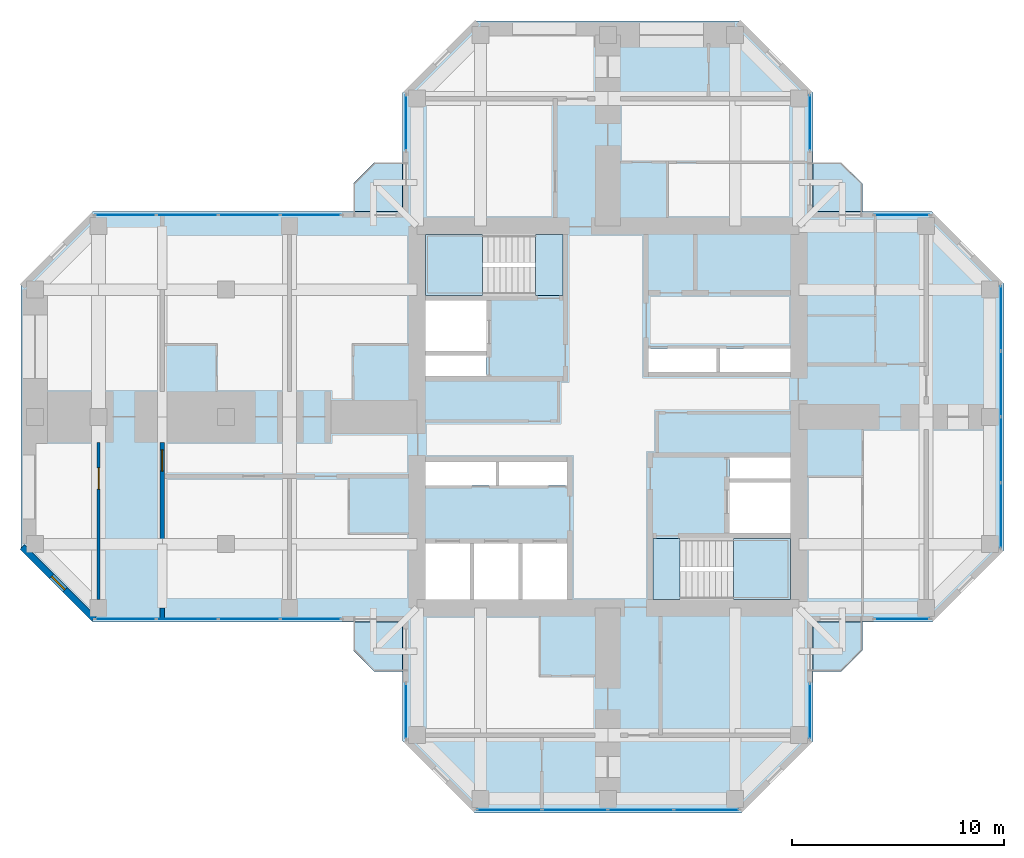
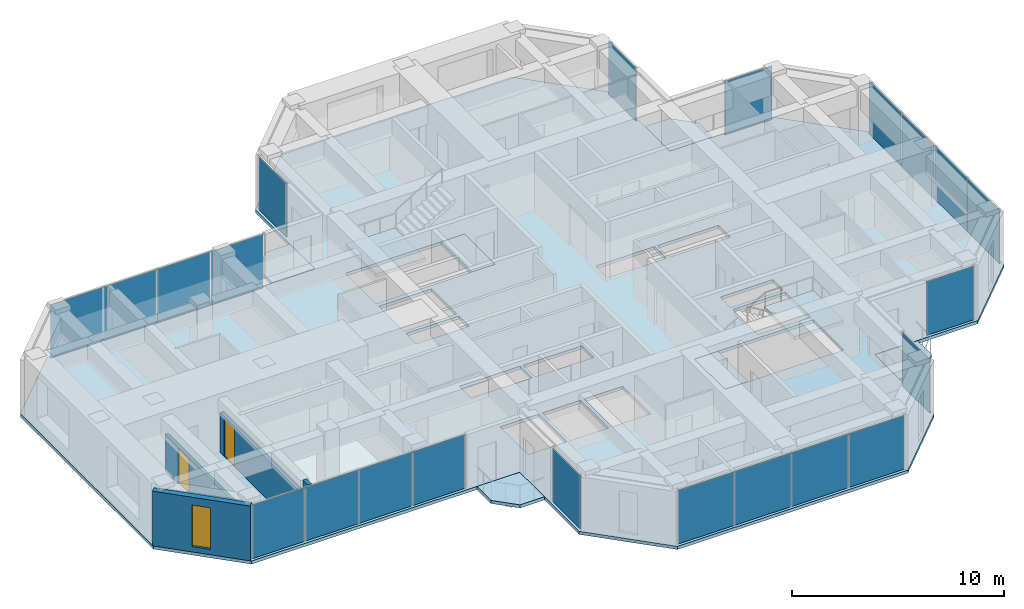
# One storey, part 7 of 13: 22 plates, 9 slabs, 4 walls, 2 doors, 1 window, 3 openings, 12 elements without a shape of their own.
"""IFC4 building model written with IfcOpenShell, lengths in metres."""

from ifc_helpers import new_model, si_unit, direction, frame, frame_2d, origin, origin_2d, place, context, subcontext, project, spatial, polyline, rectangle, hollow_rectangle, outline, extrude, material, layer, layer_set, constituent, constituent_set, type_object, element, fill, aggregate, save


model = new_model("IFC4")

# Units and contexts
model_context = context("Model", 3, precision=1e-05, world=origin(), true_north=direction((0.0, 1.0)))
body_context = subcontext(model_context, "Body", "Model", "MODEL_VIEW")
ifc_project = project(units=[si_unit("LENGTHUNIT", "METRE"), si_unit("AREAUNIT", "SQUARE_METRE"), si_unit("VOLUMEUNIT", "CUBIC_METRE"), si_unit("PLANEANGLEUNIT", "RADIAN"), si_unit("MASSUNIT", "GRAM", prefix="KILO")], contexts=[model_context])

# Site, building, storey
site_placement = place(None, origin())
site = spatial("IfcSite", under=ifc_project, at=site_placement, CompositionType="ELEMENT")
building_placement = place(site_placement, origin())
building = spatial("IfcBuilding", under=site, at=building_placement, Name="Torre Cruceta", CompositionType="ELEMENT")
storey_placement = place(building_placement, frame((0.0, 0.0, 249.300048828125)))
storey = spatial("IfcBuildingStorey", under=building, at=storey_placement, Name="L64", CompositionType="ELEMENT", Elevation=249.300048828125)

# Slabs
ifc_material_1 = material(Name="Concrete G35 (fck 35 MPa)", Category="concrete")
ifc_layer_1 = layer(ifc_material_1, 0.179931640625)
ifc_layer_set_1 = layer_set([ifc_layer_1], Name="Concrete G35 (fck 35 MPa)")
slab_type_1 = type_object("IfcSlabType", Name="BALCONY SLAB 180", PredefinedType="USERDEFINED", material=ifc_layer_set_1)
slab_1_placement = place(storey_placement, frame((0.0, 0.0, -0.179931640625)))
element("IfcSlab", 1, at=slab_1_placement, inside=storey, type_object=slab_type_1, Name="Balcony slab L64 N", ObjectType="BALCONY", PredefinedType="USERDEFINED", context=body_context, shape_type="SweptSolid", body=[
    extrude(outline(polyline([(-12.0, 11.0), (-11.0, 12.0), (-9.669921875, 12.0), (-9.669921875, 9.669921875), (-12.0, 9.669921875), (-12.0, 11.0)])), origin(), (0.0, 0.0, 1.0), 0.179931640625),
])
slab_2_placement = place(storey_placement, frame((0.0, 0.0, -0.179931640625)))
element("IfcSlab", 2, at=slab_2_placement, inside=storey, type_object=slab_type_1, Name="Balcony slab L64 E", ObjectType="BALCONY", PredefinedType="USERDEFINED", context=body_context, shape_type="SweptSolid", body=[
    extrude(outline(polyline([(11.0, 12.0), (12.0, 11.0), (12.0, 9.669921875), (9.669921875, 9.669921875), (9.669921875, 12.0), (11.0, 12.0)])), origin(), (0.0, 0.0, 1.0), 0.179931640625),
])
slab_3_placement = place(storey_placement, frame((0.0, 0.0, -0.179931640625)))
element("IfcSlab", 3, at=slab_3_placement, inside=storey, type_object=slab_type_1, Name="Balcony slab L64 S", ObjectType="BALCONY", PredefinedType="USERDEFINED", context=body_context, shape_type="SweptSolid", body=[
    extrude(outline(polyline([(12.0, -11.0), (11.0, -12.0), (9.669921875, -12.0), (9.669921875, -9.669921875), (12.0, -9.669921875), (12.0, -11.0)])), origin(), (0.0, 0.0, 1.0), 0.179931640625),
])
slab_4_placement = place(storey_placement, frame((0.0, 0.0, -0.179931640625)))
element("IfcSlab", 4, at=slab_4_placement, inside=storey, type_object=slab_type_1, Name="Balcony slab L64 W", ObjectType="BALCONY", PredefinedType="USERDEFINED", context=body_context, shape_type="SweptSolid", body=[
    extrude(outline(polyline([(-11.0, -12.0), (-12.0, -11.0), (-12.0, -9.669921875), (-9.669921875, -9.669921875), (-9.669921875, -12.0), (-11.0, -12.0)])), origin(), (0.0, 0.0, 1.0), 0.179931640625),
])

# Curtain wall, plate
ifc_material_2 = material(Name="Aluminium unitised curtain wall", Category="aluminium")
curtain_wall_type = type_object("IfcCurtainWallType", Name="CURTAIN WALL CW-D CO-LIVING UPPER", PredefinedType="USERDEFINED", material=ifc_material_2)
curtain_wall_1_placement = place(storey_placement, origin())
curtain_wall_1 = element("IfcCurtainWall", 5, at=curtain_wall_1_placement, inside=storey, type_object=curtain_wall_type, Name="CW-D L64 E tip 02", ObjectType="UNITISED", PredefinedType="USERDEFINED")
ifc_material_3 = material(Name="Laminated insulating glass unit, diagonal frit 50 %", Category="glass")
ifc_material_4 = material(Name="Laminated insulating glass unit, diagonal frit 50 %", Category="glass")
ifc_layer_2 = layer(ifc_material_4, 0.028076171875)
ifc_layer_set_2 = layer_set([ifc_layer_2], Name="Laminated insulating glass unit, diagonal frit 50 %")
plate_type_1 = type_object("IfcPlateType", Name="CW-D OPERABLE VENT PANEL 28", PredefinedType="CURTAIN_PANEL", material=ifc_layer_set_2)
plate_1_placement = place(storey_placement, frame((18.52001953125, -1.553955078125, 0.010009765625), z_axis=(0.0, 0.0, 1.0), x_axis=(0.0, 1.0, 0.0)))
plate_1 = element("IfcPlate", 6, at=plate_1_placement, type_object=plate_type_1, material=ifc_material_3, Name="CW-D vent 2", PredefinedType="CURTAIN_PANEL", context=body_context, shape_type="SweptSolid", body=[
    extrude(rectangle(XDim=3.047607421875, YDim=0.028076171875, at=origin_2d()), origin(), (0.0, 0.0, 1.0), 3.080078125),
])

curtain_wall_2_placement = place(storey_placement, origin())
curtain_wall_2 = element("IfcCurtainWall", 7, at=curtain_wall_2_placement, inside=storey, type_object=curtain_wall_type, Name="CW-D L64 W side 10", ObjectType="UNITISED", PredefinedType="USERDEFINED")
plate_2_placement = place(storey_placement, frame((-16.90576171875, 9.52001953125, 0.010009765625), z_axis=(0.0, 0.0, 1.0), x_axis=(-1.0, 0.0, 0.0)))
plate_2 = element("IfcPlate", 8, at=plate_2_placement, type_object=plate_type_1, material=ifc_material_3, Name="CW-D vent 2", PredefinedType="CURTAIN_PANEL", context=body_context, shape_type="SweptSolid", body=[
    extrude(rectangle(XDim=2.86376953125, YDim=0.028076171875, at=origin_2d()), origin(), (0.0, 0.0, 1.0), 3.080078125),
])

curtain_wall_3_placement = place(storey_placement, origin())
curtain_wall_3 = element("IfcCurtainWall", 9, at=curtain_wall_3_placement, inside=storey, type_object=curtain_wall_type, Name="CW-D L64 W side 14", ObjectType="UNITISED", PredefinedType="USERDEFINED")
plate_3_placement = place(storey_placement, frame((-19.82958984375, -9.52001953125, 0.010009765625), z_axis=(0.0, 0.0, 1.0), x_axis=(1.0, 0.0, 0.0)))
plate_3 = element("IfcPlate", 10, at=plate_3_placement, type_object=plate_type_1, material=ifc_material_3, Name="CW-D vent 2", PredefinedType="CURTAIN_PANEL", context=body_context, shape_type="SweptSolid", body=[
    extrude(rectangle(XDim=2.86376953125, YDim=0.028076171875, at=origin_2d()), origin(), (0.0, 0.0, 1.0), 3.080078125),
])

curtain_wall_4_placement = place(storey_placement, origin())
curtain_wall_4 = element("IfcCurtainWall", 11, at=curtain_wall_4_placement, inside=storey, type_object=curtain_wall_type, Name="CW-D L64 S tip 17", ObjectType="UNITISED", PredefinedType="USERDEFINED")
plate_4_placement = place(storey_placement, frame((-1.553955078125, -18.52001953125, 0.010009765625), z_axis=(0.0, 0.0, 1.0), x_axis=(1.0, 0.0, 0.0)))
plate_4 = element("IfcPlate", 12, at=plate_4_placement, type_object=plate_type_1, material=ifc_material_3, Name="CW-D vent 2", PredefinedType="CURTAIN_PANEL", context=body_context, shape_type="SweptSolid", body=[
    extrude(rectangle(XDim=3.047607421875, YDim=0.028076171875, at=origin_2d()), origin(), (0.0, 0.0, 1.0), 3.080078125),
])

curtain_wall_5_placement = place(storey_placement, origin())
curtain_wall_5 = element("IfcCurtainWall", 13, at=curtain_wall_5_placement, inside=storey, type_object=curtain_wall_type, Name="CW-D L64 E side 00", ObjectType="UNITISED", PredefinedType="USERDEFINED")
ifc_material_5 = material(Name="Laminated insulating glass unit, diagonal frit 50 %", Category="glass")
ifc_layer_3 = layer(ifc_material_5, 0.028076171875)
ifc_layer_set_3 = layer_set([ifc_layer_3], Name="Laminated insulating glass unit, diagonal frit 50 %")
plate_type_2 = type_object("IfcPlateType", Name="CW-D PANEL 28", PredefinedType="CURTAIN_PANEL", material=ifc_layer_set_3)
plate_5_placement = place(storey_placement, frame((13.86767578125, -9.52001953125, 0.010009765625), z_axis=(0.0, 0.0, 1.0), x_axis=(1.0, 0.0, 0.0)))
plate_5 = element("IfcPlate", 14, at=plate_5_placement, type_object=plate_type_2, material=ifc_material_3, Name="CW-D panel 1", PredefinedType="CURTAIN_PANEL", context=body_context, shape_type="SweptSolid", body=[
    extrude(rectangle(XDim=2.575439453125, YDim=0.028076171875, at=origin_2d()), origin(), (0.0, 0.0, 1.0), 3.080078125),
])
aggregate(curtain_wall_5, [plate_5])

# Plate
plate_6_placement = place(storey_placement, frame((18.52001953125, -4.646484375, 0.010009765625), z_axis=(0.0, 0.0, 1.0), x_axis=(0.0, 1.0, 0.0)))
plate_6 = element("IfcPlate", 15, at=plate_6_placement, type_object=plate_type_2, material=ifc_material_3, Name="CW-D panel 1", PredefinedType="CURTAIN_PANEL", context=body_context, shape_type="SweptSolid", body=[
    extrude(rectangle(XDim=3.017578125, YDim=0.028076171875, at=origin_2d()), origin(), (0.0, 0.0, 1.0), 3.080078125),
])

ifc_material_6 = material(Name="Laminated insulating glass unit, low-iron clear", Category="glass")
plate_7_placement = place(storey_placement, frame((18.52001953125, 1.553955078125, 0.010009765625), z_axis=(0.0, 0.0, 1.0), x_axis=(0.0, 1.0, 0.0)))
plate_7 = element("IfcPlate", 16, at=plate_7_placement, type_object=plate_type_2, material=ifc_material_6, Name="CW-D panel 3", PredefinedType="CURTAIN_PANEL", context=body_context, shape_type="SweptSolid", body=[
    extrude(rectangle(XDim=3.047607421875, YDim=0.028076171875, at=origin_2d()), origin(), (0.0, 0.0, 1.0), 3.080078125),
])

plate_8_placement = place(storey_placement, frame((18.52001953125, 4.646484375, 0.010009765625), z_axis=(0.0, 0.0, 1.0), x_axis=(0.0, 1.0, 0.0)))
plate_8 = element("IfcPlate", 17, at=plate_8_placement, type_object=plate_type_2, material=ifc_material_6, Name="CW-D panel 4", PredefinedType="CURTAIN_PANEL", context=body_context, shape_type="SweptSolid", body=[
    extrude(rectangle(XDim=3.017578125, YDim=0.028076171875, at=origin_2d()), origin(), (0.0, 0.0, 1.0), 3.080078125),
])

aggregate(curtain_wall_1, [plate_6, plate_1, plate_7, plate_8])

# Curtain wall, plate
curtain_wall_6_placement = place(storey_placement, origin())
curtain_wall_6 = element("IfcCurtainWall", 18, at=curtain_wall_6_placement, inside=storey, type_object=curtain_wall_type, Name="CW-D L64 E side 04", ObjectType="UNITISED", PredefinedType="USERDEFINED")
plate_9_placement = place(storey_placement, frame((13.86767578125, 9.52001953125, 0.010009765625), z_axis=(0.0, 0.0, 1.0), x_axis=(-1.0, 0.0, 0.0)))
plate_9 = element("IfcPlate", 19, at=plate_9_placement, type_object=plate_type_2, material=ifc_material_3, Name="CW-D panel 1", PredefinedType="CURTAIN_PANEL", context=body_context, shape_type="SweptSolid", body=[
    extrude(rectangle(XDim=2.575439453125, YDim=0.028076171875, at=origin_2d()), origin(), (0.0, 0.0, 1.0), 3.080078125),
])
aggregate(curtain_wall_6, [plate_9])

curtain_wall_7_placement = place(storey_placement, origin())
curtain_wall_7 = element("IfcCurtainWall", 20, at=curtain_wall_7_placement, inside=storey, type_object=curtain_wall_type, Name="CW-D L64 N side 05", ObjectType="UNITISED", PredefinedType="USERDEFINED")
plate_10_placement = place(storey_placement, frame((9.52001953125, 13.86767578125, 0.010009765625), z_axis=(0.0, 0.0, 1.0), x_axis=(0.0, 1.0, 0.0)))
plate_10 = element("IfcPlate", 21, at=plate_10_placement, type_object=plate_type_2, material=ifc_material_3, Name="CW-D panel 1", PredefinedType="CURTAIN_PANEL", context=body_context, shape_type="SweptSolid", body=[
    extrude(rectangle(XDim=2.575439453125, YDim=0.028076171875, at=origin_2d()), origin(), (0.0, 0.0, 1.0), 3.080078125),
])
aggregate(curtain_wall_7, [plate_10])

curtain_wall_8_placement = place(storey_placement, origin())
curtain_wall_8 = element("IfcCurtainWall", 22, at=curtain_wall_8_placement, inside=storey, type_object=curtain_wall_type, Name="CW-D L64 N side 09", ObjectType="UNITISED", PredefinedType="USERDEFINED")
plate_11_placement = place(storey_placement, frame((-9.52001953125, 13.86767578125, 0.010009765625), z_axis=(0.0, 0.0, 1.0), x_axis=(0.0, -1.0, 0.0)))
plate_11 = element("IfcPlate", 23, at=plate_11_placement, type_object=plate_type_2, material=ifc_material_3, Name="CW-D panel 1", PredefinedType="CURTAIN_PANEL", context=body_context, shape_type="SweptSolid", body=[
    extrude(rectangle(XDim=2.575439453125, YDim=0.028076171875, at=origin_2d()), origin(), (0.0, 0.0, 1.0), 3.080078125),
])
aggregate(curtain_wall_8, [plate_11])

# Plate
plate_12_placement = place(storey_placement, frame((-13.996826171875, 9.52001953125, 0.010009765625), z_axis=(0.0, 0.0, 1.0), x_axis=(-1.0, 0.0, 0.0)))
plate_12 = element("IfcPlate", 24, at=plate_12_placement, type_object=plate_type_2, material=ifc_material_3, Name="CW-D panel 1", PredefinedType="CURTAIN_PANEL", context=body_context, shape_type="SweptSolid", body=[
    extrude(rectangle(XDim=2.833740234375, YDim=0.028076171875, at=origin_2d()), origin(), (0.0, 0.0, 1.0), 3.080078125),
])

plate_13_placement = place(storey_placement, frame((-19.82958984375, 9.52001953125, 0.010009765625), z_axis=(0.0, 0.0, 1.0), x_axis=(-1.0, 0.0, 0.0)))
plate_13 = element("IfcPlate", 25, at=plate_13_placement, type_object=plate_type_2, material=ifc_material_6, Name="CW-D panel 3", PredefinedType="CURTAIN_PANEL", context=body_context, shape_type="SweptSolid", body=[
    extrude(rectangle(XDim=2.86376953125, YDim=0.028076171875, at=origin_2d()), origin(), (0.0, 0.0, 1.0), 3.080078125),
])

plate_14_placement = place(storey_placement, frame((-22.738525390625, 9.52001953125, 0.010009765625), z_axis=(0.0, 0.0, 1.0), x_axis=(-1.0, 0.0, 0.0)))
plate_14 = element("IfcPlate", 26, at=plate_14_placement, type_object=plate_type_2, material=ifc_material_6, Name="CW-D panel 4", PredefinedType="CURTAIN_PANEL", context=body_context, shape_type="SweptSolid", body=[
    extrude(rectangle(XDim=2.833740234375, YDim=0.028076171875, at=origin_2d()), origin(), (0.0, 0.0, 1.0), 3.080078125),
])

aggregate(curtain_wall_2, [plate_12, plate_2, plate_13, plate_14])

plate_15_placement = place(storey_placement, frame((-22.738525390625, -9.52001953125, 0.010009765625), z_axis=(0.0, 0.0, 1.0), x_axis=(1.0, 0.0, 0.0)))
plate_15 = element("IfcPlate", 27, at=plate_15_placement, type_object=plate_type_2, material=ifc_material_3, Name="CW-D panel 1", PredefinedType="CURTAIN_PANEL", context=body_context, shape_type="SweptSolid", body=[
    extrude(rectangle(XDim=2.833740234375, YDim=0.028076171875, at=origin_2d()), origin(), (0.0, 0.0, 1.0), 3.080078125),
])

plate_16_placement = place(storey_placement, frame((-16.90576171875, -9.52001953125, 0.010009765625), z_axis=(0.0, 0.0, 1.0), x_axis=(1.0, 0.0, 0.0)))
plate_16 = element("IfcPlate", 28, at=plate_16_placement, type_object=plate_type_2, material=ifc_material_6, Name="CW-D panel 3", PredefinedType="CURTAIN_PANEL", context=body_context, shape_type="SweptSolid", body=[
    extrude(rectangle(XDim=2.86376953125, YDim=0.028076171875, at=origin_2d()), origin(), (0.0, 0.0, 1.0), 3.080078125),
])

plate_17_placement = place(storey_placement, frame((-13.996826171875, -9.52001953125, 0.010009765625), z_axis=(0.0, 0.0, 1.0), x_axis=(1.0, 0.0, 0.0)))
plate_17 = element("IfcPlate", 29, at=plate_17_placement, type_object=plate_type_2, material=ifc_material_6, Name="CW-D panel 4", PredefinedType="CURTAIN_PANEL", context=body_context, shape_type="SweptSolid", body=[
    extrude(rectangle(XDim=2.833740234375, YDim=0.028076171875, at=origin_2d()), origin(), (0.0, 0.0, 1.0), 3.080078125),
])

aggregate(curtain_wall_3, [plate_15, plate_3, plate_16, plate_17])

# Curtain wall, plate
curtain_wall_9_placement = place(storey_placement, origin())
curtain_wall_9 = element("IfcCurtainWall", 30, at=curtain_wall_9_placement, inside=storey, type_object=curtain_wall_type, Name="CW-D L64 S side 15", ObjectType="UNITISED", PredefinedType="USERDEFINED")
plate_18_placement = place(storey_placement, frame((-9.52001953125, -13.86767578125, 0.010009765625), z_axis=(0.0, 0.0, 1.0), x_axis=(0.0, -1.0, 0.0)))
plate_18 = element("IfcPlate", 31, at=plate_18_placement, type_object=plate_type_2, material=ifc_material_3, Name="CW-D panel 1", PredefinedType="CURTAIN_PANEL", context=body_context, shape_type="SweptSolid", body=[
    extrude(rectangle(XDim=2.575439453125, YDim=0.028076171875, at=origin_2d()), origin(), (0.0, 0.0, 1.0), 3.080078125),
])
aggregate(curtain_wall_9, [plate_18])

# Plate
plate_19_placement = place(storey_placement, frame((-4.646484375, -18.52001953125, 0.010009765625), z_axis=(0.0, 0.0, 1.0), x_axis=(1.0, 0.0, 0.0)))
plate_19 = element("IfcPlate", 32, at=plate_19_placement, type_object=plate_type_2, material=ifc_material_3, Name="CW-D panel 1", PredefinedType="CURTAIN_PANEL", context=body_context, shape_type="SweptSolid", body=[
    extrude(rectangle(XDim=3.017578125, YDim=0.028076171875, at=origin_2d()), origin(), (0.0, 0.0, 1.0), 3.080078125),
])

plate_20_placement = place(storey_placement, frame((1.553955078125, -18.52001953125, 0.010009765625), z_axis=(0.0, 0.0, 1.0), x_axis=(1.0, 0.0, 0.0)))
plate_20 = element("IfcPlate", 33, at=plate_20_placement, type_object=plate_type_2, material=ifc_material_6, Name="CW-D panel 3", PredefinedType="CURTAIN_PANEL", context=body_context, shape_type="SweptSolid", body=[
    extrude(rectangle(XDim=3.047607421875, YDim=0.028076171875, at=origin_2d()), origin(), (0.0, 0.0, 1.0), 3.080078125),
])

plate_21_placement = place(storey_placement, frame((4.646484375, -18.52001953125, 0.010009765625), z_axis=(0.0, 0.0, 1.0), x_axis=(1.0, 0.0, 0.0)))
plate_21 = element("IfcPlate", 34, at=plate_21_placement, type_object=plate_type_2, material=ifc_material_6, Name="CW-D panel 4", PredefinedType="CURTAIN_PANEL", context=body_context, shape_type="SweptSolid", body=[
    extrude(rectangle(XDim=3.017578125, YDim=0.028076171875, at=origin_2d()), origin(), (0.0, 0.0, 1.0), 3.080078125),
])

aggregate(curtain_wall_4, [plate_19, plate_4, plate_20, plate_21])

# Curtain wall, plate
curtain_wall_10_placement = place(storey_placement, origin())
curtain_wall_10 = element("IfcCurtainWall", 35, at=curtain_wall_10_placement, inside=storey, type_object=curtain_wall_type, Name="CW-D L64 S side 19", ObjectType="UNITISED", PredefinedType="USERDEFINED")
plate_22_placement = place(storey_placement, frame((9.52001953125, -13.86767578125, 0.010009765625), z_axis=(0.0, 0.0, 1.0), x_axis=(0.0, 1.0, 0.0)))
plate_22 = element("IfcPlate", 36, at=plate_22_placement, type_object=plate_type_2, material=ifc_material_3, Name="CW-D panel 1", PredefinedType="CURTAIN_PANEL", context=body_context, shape_type="SweptSolid", body=[
    extrude(rectangle(XDim=2.575439453125, YDim=0.028076171875, at=origin_2d()), origin(), (0.0, 0.0, 1.0), 3.080078125),
])
aggregate(curtain_wall_10, [plate_22])

# Slab
ifc_material_7 = material(Name="Concrete G35 (fck 35 MPa)", Category="concrete")
ifc_layer_4 = layer(ifc_material_7, 0.179931640625)
ifc_layer_set_4 = layer_set([ifc_layer_4], Name="Concrete G35 (fck 35 MPa)")
slab_type_2 = type_object("IfcSlabType", Name="FLOOR SLAB 180", PredefinedType="FLOOR", material=ifc_layer_set_4)
slab_5_placement = place(storey_placement, frame((0.0, 0.0, -0.179931640625)))
element("IfcSlab", 37, at=slab_5_placement, inside=storey, type_object=slab_type_2, Name="Floor Slab L64", PredefinedType="FLOOR", context=body_context, shape_type="SweptSolid", body=[
    extrude(outline(polyline([(9.669921875, -9.669921875), (9.669921875, -15.277587890625), (6.277587890625, -18.669921875), (-6.277587890625, -18.669921875), (-9.669921875, -15.277587890625), (-9.669921875, -9.669921875), (-24.277587890625, -9.669921875), (-27.669921875, -6.277587890625), (-27.669921875, 6.277587890625), (-24.277587890625, 9.669921875), (-9.669921875, 9.669921875), (-9.669921875, 15.277587890625), (-6.277587890625, 18.669921875), (6.277587890625, 18.669921875), (9.669921875, 15.277587890625), (9.669921875, 9.669921875), (15.277587890625, 9.669921875), (18.669921875, 6.277587890625), (18.669921875, -6.277587890625), (15.277587890625, -9.669921875), (9.669921875, -9.669921875)]), holes=[polyline([(1.925048828125, 2.125), (5.125, 2.125), (5.125, 3.22509765625), (1.925048828125, 3.22509765625), (1.925048828125, 2.125)]), polyline([(5.27490234375, 2.125), (8.60009765625, 2.125), (8.60009765625, 3.22509765625), (5.27490234375, 3.22509765625), (5.27490234375, 2.125)]), polyline([(-8.60009765625, 3.10009765625), (-5.72509765625, 3.10009765625), (-5.72509765625, 5.47509765625), (-8.60009765625, 5.47509765625), (-8.60009765625, 3.10009765625)]), polyline([(-8.60009765625, 1.925048828125), (-5.72509765625, 1.925048828125), (-5.72509765625, 2.89990234375), (-8.60009765625, 2.89990234375), (-8.60009765625, 1.925048828125)]), polyline([(-4.0166015625, -8.60009765625), (-1.925048828125, -8.60009765625), (-1.925048828125, -5.97509765625), (-4.0166015625, -5.97509765625), (-4.0166015625, -8.60009765625)]), polyline([(-6.308349609375, -8.60009765625), (-4.216552734375, -8.60009765625), (-4.216552734375, -5.97509765625), (-6.308349609375, -5.97509765625), (-6.308349609375, -8.60009765625)]), polyline([(-8.60009765625, -8.60009765625), (-6.50830078125, -8.60009765625), (-6.50830078125, -5.97509765625), (-8.60009765625, -5.97509765625), (-8.60009765625, -8.60009765625)]), polyline([(-5.125, -3.22509765625), (-1.925048828125, -3.22509765625), (-1.925048828125, -2.125), (-5.125, -2.125), (-5.125, -3.22509765625)]), polyline([(-8.60009765625, -3.22509765625), (-5.27490234375, -3.22509765625), (-5.27490234375, -2.125), (-8.60009765625, -2.125), (-8.60009765625, -3.22509765625)]), polyline([(5.72509765625, -5.47509765625), (8.60009765625, -5.47509765625), (8.60009765625, -3.10009765625), (5.72509765625, -3.10009765625), (5.72509765625, -5.47509765625)]), polyline([(5.72509765625, -2.89990234375), (8.60009765625, -2.89990234375), (8.60009765625, -1.925048828125), (5.72509765625, -1.925048828125), (5.72509765625, -2.89990234375)]), polyline([(-8.60009765625, 5.72509765625), (-8.60009765625, 8.60009765625), (-3.39990234375, 8.60009765625), (-2.125, 8.60009765625), (-2.125, 5.72509765625), (-3.39990234375, 5.72509765625), (-8.60009765625, 5.72509765625)]), polyline([(2.125, -5.72509765625), (3.39990234375, -5.72509765625), (8.60009765625, -5.72509765625), (8.60009765625, -8.60009765625), (3.39990234375, -8.60009765625), (2.125, -8.60009765625), (2.125, -5.72509765625)])]), origin(), (0.0, 0.0, 1.0), 0.179931640625),
])

# Stair, slab
ifc_material_8 = material(Name="Concrete G30 (fck 30 MPa)", Category="concrete")
stair_type = type_object("IfcStairType", Name="STAIR HALF-TURN 1300", PredefinedType="HALF_TURN_STAIR", material=ifc_material_8)
stair_1_placement = place(storey_placement, origin())
stair_1 = element("IfcStair", 38, at=stair_1_placement, inside=storey, type_object=stair_type, Name="Stair ST1 L64", PredefinedType="HALF_TURN_STAIR")
ifc_material_9 = material(Name="Concrete G30 (fck 30 MPa)", Category="concrete")
ifc_layer_5 = layer(ifc_material_9, 0.199951171875)
ifc_layer_set_5 = layer_set([ifc_layer_5], Name="Concrete G30 (fck 30 MPa)")
slab_type_3 = type_object("IfcSlabType", Name="STAIR LANDING 200", PredefinedType="LANDING", material=ifc_layer_set_5)
slab_6_placement = place(storey_placement, frame((0.0, 0.0, 1.5)))
slab_6 = element("IfcSlab", 39, at=slab_6_placement, type_object=slab_type_3, Name="ST1 landing 1", PredefinedType="LANDING", context=body_context, shape_type="SweptSolid", body=[
    extrude(outline(polyline([(-8.60009765625, 5.72509765625), (-5.919921875, 5.72509765625), (-5.919921875, 8.60009765625), (-8.60009765625, 8.60009765625), (-8.60009765625, 5.72509765625)])), origin(), (0.0, 0.0, 1.0), 0.199951171875),
])
aggregate(stair_1, [slab_6])

stair_2_placement = place(storey_placement, origin())
stair_2 = element("IfcStair", 40, at=stair_2_placement, inside=storey, type_object=stair_type, Name="Stair ST2 L64", PredefinedType="HALF_TURN_STAIR")
slab_7_placement = place(storey_placement, frame((0.0, 0.0, 1.5)))
slab_7 = element("IfcSlab", 41, at=slab_7_placement, type_object=slab_type_3, Name="ST2 landing 1", PredefinedType="LANDING", context=body_context, shape_type="SweptSolid", body=[
    extrude(outline(polyline([(5.919921875, -8.60009765625), (8.60009765625, -8.60009765625), (8.60009765625, -5.72509765625), (5.919921875, -5.72509765625), (5.919921875, -8.60009765625)])), origin(), (0.0, 0.0, 1.0), 0.199951171875),
])
aggregate(stair_2, [slab_7])

# Slabs
slab_8_placement = place(storey_placement, frame((0.0, 0.0, -0.199951171875)))
element("IfcSlab", 42, at=slab_8_placement, inside=storey, type_object=slab_type_3, Name="Stair ST1 floor landing L64", PredefinedType="LANDING", context=body_context, shape_type="SweptSolid", body=[
    extrude(outline(polyline([(-2.125, 8.60009765625), (-2.125, 5.72509765625), (-3.39990234375, 5.72509765625), (-3.39990234375, 8.60009765625), (-2.125, 8.60009765625)])), origin(), (0.0, 0.0, 1.0), 0.199951171875),
])
slab_9_placement = place(storey_placement, frame((0.0, 0.0, -0.199951171875)))
element("IfcSlab", 43, at=slab_9_placement, inside=storey, type_object=slab_type_3, Name="Stair ST2 floor landing L64", PredefinedType="LANDING", context=body_context, shape_type="SweptSolid", body=[
    extrude(outline(polyline([(2.125, -8.60009765625), (2.125, -5.72509765625), (3.39990234375, -5.72509765625), (3.39990234375, -8.60009765625), (2.125, -8.60009765625)])), origin(), (0.0, 0.0, 1.0), 0.199951171875),
])

# Wall, opening, window
ifc_material_10 = material(Name="Concrete G30 (fck 30 MPa)", Category="concrete")
ifc_layer_6 = layer(ifc_material_10, 0.300048828125)
ifc_layer_set_6 = layer_set([ifc_layer_6], Name="Concrete G30 (fck 30 MPa)")
wall_type_1 = type_object("IfcWallType", Name="EXPOSED CONCRETE FACADE WALL 300", PredefinedType="SOLIDWALL", material=ifc_layer_set_6)
wall_1_placement = place(storey_placement, frame((-27.60009765625, -6.135498046875, 0.0), z_axis=(0.0, 0.0, 1.0), x_axis=(0.707132283189, -0.707081278264, 0.0)))
wall_1 = element("IfcWall", 44, at=wall_1_placement, inside=storey, type_object=wall_type_1, Name="EW1 facade wall L64 W chamfer 13", PredefinedType="SOLIDWALL", context=body_context, shape_type="SweptSolid", body=[
    extrude(rectangle(XDim=4.78662109375, YDim=0.300048828125, at=frame_2d((2.393310546875, 0.0))), origin(), (0.0, 0.0, 1.0), 3.14990234375),
])
opening_1_placement = place(wall_1_placement, frame((1.943359375, 0.0, 0.300048828125)))
opening_1 = element("IfcOpeningElement", 45, at=opening_1_placement, cuts=wall_1, Name="Opening WN5", PredefinedType="OPENING", context=body_context, shape_type="SweptSolid", body=[
    extrude(rectangle(XDim=0.89990234375, YDim=2.39990234375, at=frame_2d((0.449951171875, 1.199951171875))), frame((0.0, 0.159912109375, 0.0), z_axis=(0.0, -1.0, 0.0), x_axis=(1.0, 0.0, 0.0)), (0.0, 0.0, 1.0), 0.320068359375),
])
ifc_material_11 = material(Name="Aluminium window frame", Category="aluminium")
ifc_constituent_1 = constituent(ifc_material_11, Name="Frame")
ifc_material_12 = material(Name="Laminated insulating glass unit, low-iron clear", Category="glass")
ifc_constituent_2 = constituent(ifc_material_12, Name="Glazing")
ifc_constituent_set_1 = constituent_set(constituents=[ifc_constituent_1, ifc_constituent_2], Name="Aluminium window")
window_type = type_object("IfcWindowType", Name="CHAMFER SLOT WINDOW 900X2400", PartitioningType="SINGLE_PANEL", PredefinedType="WINDOW", material=ifc_constituent_set_1)
window_placement = place(opening_1_placement, origin())
window = element("IfcWindow", 46, at=window_placement, inside=storey, type_object=window_type, Name="WN5 L64 W 1", OverallHeight=2.39990234375, OverallWidth=0.89990234375, PartitioningType="SINGLE_PANEL", PredefinedType="WINDOW", context=body_context, shape_type="SweptSolid", body=[
    extrude(hollow_rectangle(XDim=0.89990234375, YDim=2.39990234375, WallThickness=0.06005859375, at=frame_2d((0.449951171875, 1.199951171875))), frame((0.0, 0.030029296875, 0.0), z_axis=(0.0, -1.0, 0.0), x_axis=(1.0, 0.0, 0.0)), (0.0, 0.0, 1.0), 0.06005859375),
    extrude(rectangle(XDim=0.77880859375, YDim=2.27880859375, at=frame_2d((0.449951171875, 1.199951171875))), frame((0.0, 0.030029296875, 0.0), z_axis=(0.0, -1.0, 0.0), x_axis=(1.0, 0.0, 0.0)), (0.0, 0.0, 1.0), 0.06005859375),
])
fill(opening_1, window)

# Wall, opening, door
ifc_material_13 = material(Name="Plasterboard on steel studs", Category="steel")
ifc_layer_7 = layer(ifc_material_13, 0.14990234375)
ifc_layer_set_7 = layer_set([ifc_layer_7], Name="Plasterboard on steel studs")
wall_type_2 = type_object("IfcWallType", Name="PARTITION 150", PredefinedType="PARTITIONING", material=ifc_layer_set_7)
wall_2_placement = place(storey_placement, frame((-24.0, -1.199951171875, 0.0), z_axis=(0.0, 0.0, 1.0), x_axis=(0.0, -1.0, 0.0)))
wall_2 = element("IfcWall", 47, at=wall_2_placement, inside=storey, type_object=wall_type_2, Name="PT1 L64-W-ENDX", PredefinedType="PARTITIONING", context=body_context, shape_type="SweptSolid", body=[
    extrude(rectangle(XDim=7.400146484375, YDim=0.14990234375, at=frame_2d((3.7001953125, 0.0))), origin(), (0.0, 0.0, 1.0), 2.099853515625),
])
opening_2_placement = place(wall_2_placement, frame((1.199951171875, 0.0, 0.0)))
opening_2 = element("IfcOpeningElement", 48, at=opening_2_placement, cuts=wall_2, Name="Opening D16", PredefinedType="OPENING", context=body_context, shape_type="SweptSolid", body=[
    extrude(rectangle(XDim=1.0, YDim=2.0, at=frame_2d((0.5, 1.0))), frame((0.0, 0.0849609375, 0.0), z_axis=(0.0, -1.0, 0.0), x_axis=(1.0, 0.0, 0.0)), (0.0, 0.0, 1.0), 0.169921875),
])
ifc_material_14 = material(Name="Steel DX51D", Category="steel")
ifc_constituent_3 = constituent(ifc_material_14, Name="Leaf and frame")
ifc_material_15 = material(Name="Polyester powder coating", Category="paint")
ifc_constituent_4 = constituent(ifc_material_15, Name="Finish")
ifc_material_16 = material(Name="Fire-resisting glass", Category="glass")
ifc_constituent_5 = constituent(ifc_material_16, Name="Vision panel")
ifc_constituent_set_2 = constituent_set(constituents=[ifc_constituent_3, ifc_constituent_4, ifc_constituent_5], Name="Steel fire door with vision panel")
door_type_1 = type_object("IfcDoorType", Name="FIRE DOOR VISION PANEL 1000X2000", OperationType="SINGLE_SWING_RIGHT", PredefinedType="DOOR", material=ifc_constituent_set_2)
door_1_placement = place(opening_2_placement, frame((1.0, 0.0, 0.0), z_axis=(0.0, 0.0, 1.0), x_axis=(-1.0, 0.0, 0.0)))
door_1 = element("IfcDoor", 49, at=door_1_placement, inside=storey, type_object=door_type_1, Name="D16 L64-W-ENDX-D1", OperationType="SINGLE_SWING_RIGHT", OverallHeight=2.0, OverallWidth=1.0, PredefinedType="DOOR", context=body_context, shape_type="SweptSolid", body=[
    extrude(rectangle(XDim=1.0, YDim=2.0, at=frame_2d((0.5, 1.0))), frame((0.0, 0.025146484375, 0.0), z_axis=(0.0, -1.0, 0.0), x_axis=(1.0, 0.0, 0.0)), (0.0, 0.0, 1.0), 0.050048828125),
])
fill(opening_2, door_1)

ifc_material_17 = material(Name="Concrete G25 (fck 25 MPa)", Category="concrete")
ifc_layer_8 = layer(ifc_material_17, 0.199951171875)
ifc_layer_set_8 = layer_set([ifc_layer_8], Name="Concrete G25 (fck 25 MPa)")
wall_type_3 = type_object("IfcWallType", Name="UNIT SEPARATING WALL 200", PredefinedType="SOLIDWALL", material=ifc_layer_set_8)
wall_3_placement = place(storey_placement, frame((-21.0, -1.199951171875, 0.0), z_axis=(0.0, 0.0, 1.0), x_axis=(0.0, -1.0, 0.0)))
wall_3 = element("IfcWall", 50, at=wall_3_placement, inside=storey, type_object=wall_type_3, Name="PT2 L64-W-ENDb", PredefinedType="SOLIDWALL", context=body_context, shape_type="SweptSolid", body=[
    extrude(rectangle(XDim=7.800048828125, YDim=0.199951171875, at=frame_2d((3.89990234375, 0.0))), origin(), (0.0, 0.0, 1.0), 2.300048828125),
])
opening_3_placement = place(wall_3_placement, frame((0.35009765625, 0.0, 0.0)))
opening_3 = element("IfcOpeningElement", 51, at=opening_3_placement, cuts=wall_3, Name="Opening D14", PredefinedType="OPENING", context=body_context, shape_type="SweptSolid", body=[
    extrude(rectangle(XDim=1.0, YDim=2.199951171875, at=frame_2d((0.5, 1.10009765625))), frame((0.0, 0.10986328125, 0.0), z_axis=(0.0, -1.0, 0.0), x_axis=(1.0, 0.0, 0.0)), (0.0, 0.0, 1.0), 0.219970703125),
])
ifc_material_18 = material(Name="Steel DX51D", Category="steel")
ifc_constituent_6 = constituent(ifc_material_18, Name="Leaf and frame")
ifc_material_19 = material(Name="Polyester powder coating", Category="paint")
ifc_constituent_7 = constituent(ifc_material_19, Name="Finish")
ifc_material_20 = material(Name="Fire-resisting glass", Category="glass")
ifc_constituent_8 = constituent(ifc_material_20, Name="Vision panel")
ifc_constituent_set_3 = constituent_set(constituents=[ifc_constituent_6, ifc_constituent_7, ifc_constituent_8], Name="Steel fire door with vision panel")
door_type_2 = type_object("IfcDoorType", Name="FIRE DOOR VISION PANEL 1000X2200", OperationType="SINGLE_SWING_RIGHT", PredefinedType="DOOR", material=ifc_constituent_set_3)
door_2_placement = place(opening_3_placement, frame((1.0, 0.0, 0.0), z_axis=(0.0, 0.0, 1.0), x_axis=(-1.0, 0.0, 0.0)))
door_2 = element("IfcDoor", 52, at=door_2_placement, inside=storey, type_object=door_type_2, Name="D14 L64-W-ENDb-D1", OperationType="SINGLE_SWING_RIGHT", OverallHeight=2.199951171875, OverallWidth=1.0, PredefinedType="DOOR", context=body_context, shape_type="SweptSolid", body=[
    extrude(rectangle(XDim=1.0, YDim=2.199951171875, at=frame_2d((0.5, 1.10009765625))), frame((0.0, 0.025146484375, 0.0), z_axis=(0.0, -1.0, 0.0), x_axis=(1.0, 0.0, 0.0)), (0.0, 0.0, 1.0), 0.050048828125),
])
fill(opening_3, door_2)

# Wall
wall_4_placement = place(storey_placement, frame((-21.0, -9.0, 0.0), z_axis=(0.0, 0.0, 1.0), x_axis=(0.0, -1.0, 0.0)))
element("IfcWall", 53, at=wall_4_placement, inside=storey, type_object=wall_type_3, Name="PT2 L64-W-ENDb 2", PredefinedType="SOLIDWALL", context=body_context, shape_type="SweptSolid", body=[
    extrude(rectangle(XDim=0.47998046875, YDim=0.199951171875, at=frame_2d((0.239990234375, 0.0))), origin(), (0.0, 0.0, 1.0), 3.14990234375),
])

save(model, "model.ifc")
